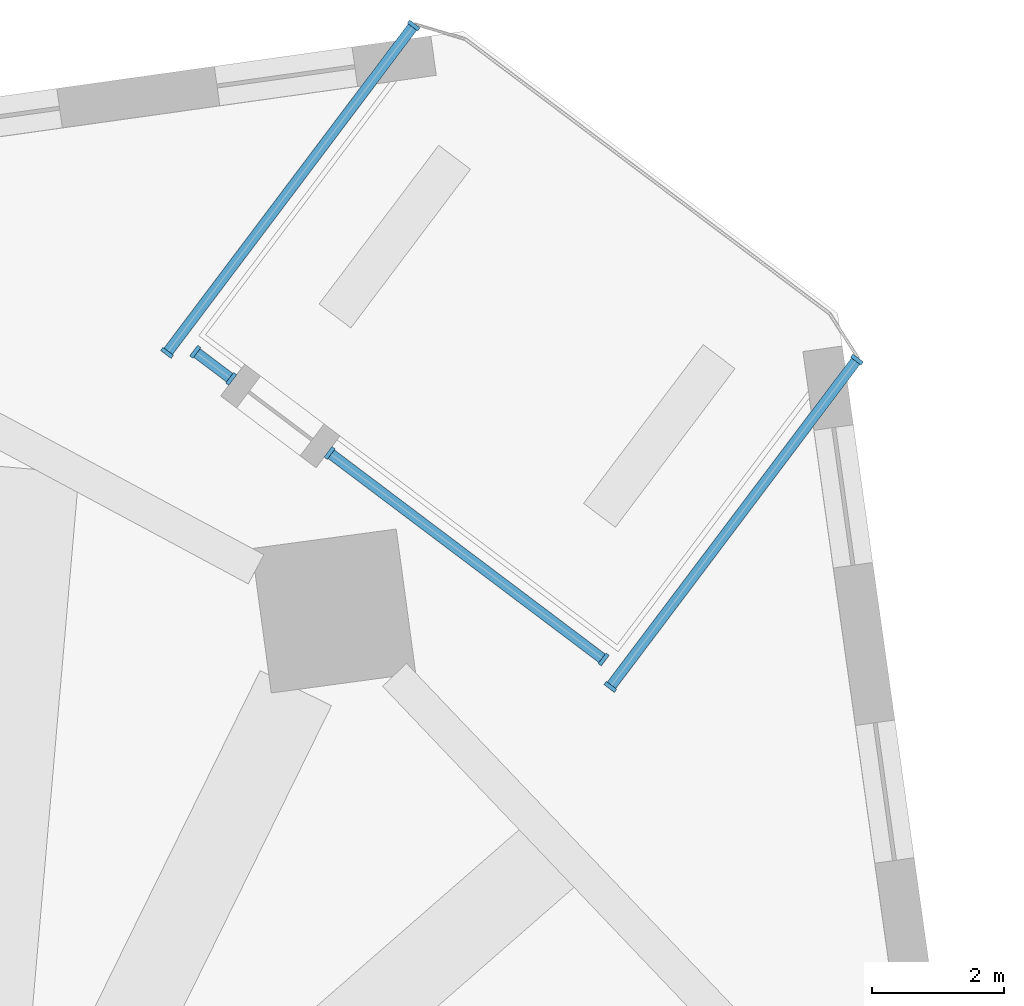
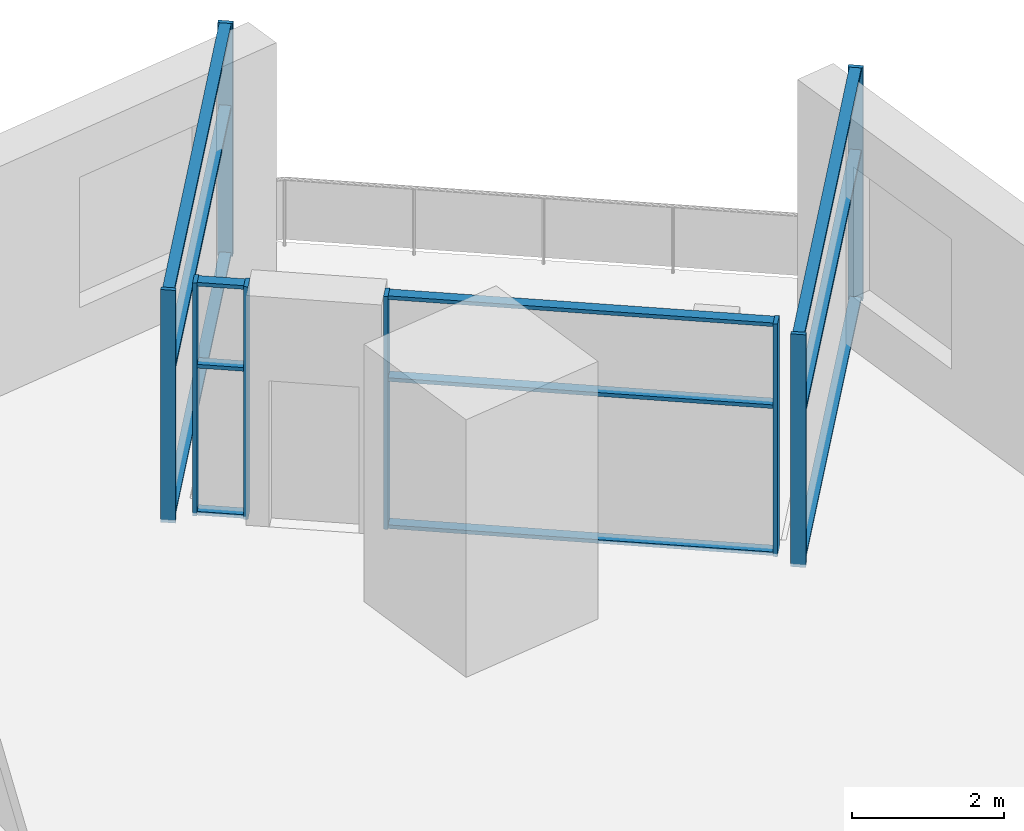
# One storey, part 2 of 12: 20 members, 4 elements without a shape of their own.
"""IFC4 building model written with IfcOpenShell, lengths in metres."""

from ifc_helpers import new_model, si_unit, direction, frame, origin, origin_2d, place, context, subcontext, project, spatial, rectangle, extrude, material, material_profile, profile_set, type_object, element, aggregate, save


model = new_model("IFC4")

# Units and contexts
model_context = context("Model", 3, precision=1e-05, world=origin(), true_north=direction((0.0, 1.0)))
body_context = subcontext(model_context, "Body", "Model", "MODEL_VIEW")
ifc_project = project(units=[si_unit("LENGTHUNIT", "METRE"), si_unit("AREAUNIT", "SQUARE_METRE"), si_unit("VOLUMEUNIT", "CUBIC_METRE"), si_unit("PLANEANGLEUNIT", "RADIAN"), si_unit("MASSUNIT", "GRAM", prefix="KILO")], contexts=[model_context])

# Site, building, storey
site_placement = place(None, origin())
site = spatial("IfcSite", under=ifc_project, at=site_placement, CompositionType="ELEMENT")
building_placement = place(site_placement, origin())
building = spatial("IfcBuilding", under=site, at=building_placement, Name="Dilmun Exchange Tower", CompositionType="ELEMENT")
storey_placement = place(building_placement, frame((0.0, 0.0, 51.300048828125)))
storey = spatial("IfcBuildingStorey", under=building, at=storey_placement, Name="L11", CompositionType="ELEMENT", Elevation=51.300048828125)

# Curtain wall, members
ifc_material_1 = material(Name="Anodised aluminium and clear glass", Category="aluminium")
curtain_wall_type = type_object("IfcCurtainWallType", Name="Garden corner glazing", PredefinedType="NOTDEFINED", material=ifc_material_1)
curtain_wall_1_placement = place(storey_placement, origin())
curtain_wall_1 = element("IfcCurtainWall", 1, at=curtain_wall_1_placement, inside=storey, type_object=curtain_wall_type, Name="Garden corner glazing run GC1.1", PredefinedType="NOTDEFINED")
ifc_material_2 = material(Name="Anodised aluminium", Category="aluminium")
ifc_material_profile_1 = material_profile(ifc_material_2, rectangle(XDim=0.199951171875, YDim=0.06005859375, at=origin_2d()), Name="AL 60x200")
ifc_profile_set_1 = profile_set([ifc_material_profile_1], Name="Anodised aluminium")
member_type_1 = type_object("IfcMemberType", Name="Garden corner glazing mullion 60 x 200", PredefinedType="MULLION", material=ifc_profile_set_1)
member_1_placement = place(storey_placement, frame((26.519775390625, 28.232177734375, 0.0), z_axis=(0.0, 0.0, 1.0), x_axis=(0.798633950704, -0.601817092465, 0.0)))
member_1 = element("IfcMember", 2, at=member_1_placement, type_object=member_type_1, Name="GC1.1 mullion 1", PredefinedType="MULLION", context=body_context, shape_type="SweptSolid", body=[
    extrude(rectangle(XDim=0.199951171875, YDim=0.06005859375, at=origin_2d()), origin(), (0.0, 0.0, 1.0), 3.75),
])
member_2_placement = place(storey_placement, frame((22.796875, 23.29150390625, 0.0), z_axis=(0.0, 0.0, 1.0), x_axis=(0.798633950704, -0.601817092465, 0.0)))
member_2 = element("IfcMember", 3, at=member_2_placement, type_object=member_type_1, Name="GC1.1 mullion 2", PredefinedType="MULLION", context=body_context, shape_type="SweptSolid", body=[
    extrude(rectangle(XDim=0.199951171875, YDim=0.06005859375, at=origin_2d()), origin(), (0.0, 0.0, 1.0), 3.75),
])

curtain_wall_2_placement = place(storey_placement, origin())
curtain_wall_2 = element("IfcCurtainWall", 4, at=curtain_wall_2_placement, inside=storey, type_object=curtain_wall_type, Name="Garden corner glazing run GC2.1", PredefinedType="NOTDEFINED")
member_3_placement = place(storey_placement, frame((22.695556640625, 23.705810546875, 0.0), z_axis=(0.0, 0.0, 1.0), x_axis=(-0.601821657953, -0.798630510323, 0.0)))
member_3 = element("IfcMember", 5, at=member_3_placement, type_object=member_type_1, Name="GC2.1 mullion 1", PredefinedType="MULLION", context=body_context, shape_type="SweptSolid", body=[
    extrude(rectangle(XDim=0.199951171875, YDim=0.06005859375, at=origin_2d()), origin(), (0.0, 0.0, 1.0), 3.75),
])
member_4_placement = place(storey_placement, frame((18.5595703125, 26.82275390625, 0.0), z_axis=(0.0, 0.0, 1.0), x_axis=(-0.601821657953, -0.798630510323, 0.0)))
member_4 = element("IfcMember", 6, at=member_4_placement, type_object=member_type_1, Name="GC2.1 mullion 2", PredefinedType="MULLION", context=body_context, shape_type="SweptSolid", body=[
    extrude(rectangle(XDim=0.199951171875, YDim=0.06005859375, at=origin_2d()), origin(), (0.0, 0.0, 1.0), 3.75),
])

curtain_wall_3_placement = place(storey_placement, origin())
curtain_wall_3 = element("IfcCurtainWall", 7, at=curtain_wall_3_placement, inside=storey, type_object=curtain_wall_type, Name="Garden corner glazing run GC2.3", PredefinedType="NOTDEFINED")
member_5_placement = place(storey_placement, frame((17.073974609375, 27.94189453125, 0.0), z_axis=(0.0, 0.0, 1.0), x_axis=(-0.60179521348, -0.798650437321, 0.0)))
member_5 = element("IfcMember", 8, at=member_5_placement, type_object=member_type_1, Name="GC2.3 mullion 1", PredefinedType="MULLION", context=body_context, shape_type="SweptSolid", body=[
    extrude(rectangle(XDim=0.199951171875, YDim=0.06005859375, at=origin_2d()), origin(), (0.0, 0.0, 1.0), 3.75),
])
member_6_placement = place(storey_placement, frame((16.53173828125, 28.3505859375, 0.0), z_axis=(0.0, 0.0, 1.0), x_axis=(-0.60179521348, -0.798650437321, 0.0)))
member_6 = element("IfcMember", 9, at=member_6_placement, type_object=member_type_1, Name="GC2.3 mullion 2", PredefinedType="MULLION", context=body_context, shape_type="SweptSolid", body=[
    extrude(rectangle(XDim=0.199951171875, YDim=0.06005859375, at=origin_2d()), origin(), (0.0, 0.0, 1.0), 3.75),
])

curtain_wall_4_placement = place(storey_placement, origin())
curtain_wall_4 = element("IfcCurtainWall", 10, at=curtain_wall_4_placement, inside=storey, type_object=curtain_wall_type, Name="Garden corner glazing run GC3.1", PredefinedType="NOTDEFINED")
member_7_placement = place(storey_placement, frame((16.105712890625, 28.333740234375, 0.0), z_axis=(0.0, 0.0, 1.0), x_axis=(-0.798633950704, 0.601817092465, 0.0)))
member_7 = element("IfcMember", 11, at=member_7_placement, type_object=member_type_1, Name="GC3.1 mullion 1", PredefinedType="MULLION", context=body_context, shape_type="SweptSolid", body=[
    extrude(rectangle(XDim=0.199951171875, YDim=0.06005859375, at=origin_2d()), origin(), (0.0, 0.0, 1.0), 3.75),
])
member_8_placement = place(storey_placement, frame((19.828857421875, 33.2744140625, 0.0), z_axis=(0.0, 0.0, 1.0), x_axis=(-0.798633950704, 0.601817092465, 0.0)))
member_8 = element("IfcMember", 12, at=member_8_placement, type_object=member_type_1, Name="GC3.1 mullion 2", PredefinedType="MULLION", context=body_context, shape_type="SweptSolid", body=[
    extrude(rectangle(XDim=0.199951171875, YDim=0.06005859375, at=origin_2d()), origin(), (0.0, 0.0, 1.0), 3.75),
])

# Member
ifc_material_profile_2 = material_profile(ifc_material_2, rectangle(XDim=0.159912109375, YDim=0.06005859375, at=origin_2d()), Name="AL 60x160")
ifc_profile_set_2 = profile_set([ifc_material_profile_2], Name="Anodised aluminium")
member_type_2 = type_object("IfcMemberType", Name="Garden corner glazing transom 60 x 160", PredefinedType="USERDEFINED", material=ifc_profile_set_2)
member_9_placement = place(storey_placement, frame((26.501708984375, 28.208251953125, 0.030029296875), z_axis=(-0.60181561491, -0.798635064125, 0.0), x_axis=(0.798635064125, -0.60181561491, 0.0)))
member_9 = element("IfcMember", 13, at=member_9_placement, type_object=member_type_2, Name="GC1.1 transom 1.1", ObjectType="TRANSOM", PredefinedType="USERDEFINED", context=body_context, shape_type="SweptSolid", body=[
    extrude(rectangle(XDim=0.159912109375, YDim=0.06005859375, at=origin_2d()), origin(), (0.0, 0.0, 1.0), 6.12646484375),
])

member_10_placement = place(storey_placement, frame((26.501708984375, 28.208251953125, 2.39990234375), z_axis=(-0.60181561491, -0.798635064125, 0.0), x_axis=(0.798635064125, -0.60181561491, 0.0)))
member_10 = element("IfcMember", 14, at=member_10_placement, type_object=member_type_2, Name="GC1.1 transom 1.2", ObjectType="TRANSOM", PredefinedType="USERDEFINED", context=body_context, shape_type="SweptSolid", body=[
    extrude(rectangle(XDim=0.159912109375, YDim=0.06005859375, at=origin_2d()), origin(), (0.0, 0.0, 1.0), 6.12646484375),
])

member_11_placement = place(storey_placement, frame((26.501708984375, 28.208251953125, 3.719970703125), z_axis=(-0.60181561491, -0.798635064125, 0.0), x_axis=(0.798635064125, -0.60181561491, 0.0)))
member_11 = element("IfcMember", 15, at=member_11_placement, type_object=member_type_2, Name="GC1.1 transom 1.3", ObjectType="TRANSOM", PredefinedType="USERDEFINED", context=body_context, shape_type="SweptSolid", body=[
    extrude(rectangle(XDim=0.159912109375, YDim=0.06005859375, at=origin_2d()), origin(), (0.0, 0.0, 1.0), 6.12646484375),
])

aggregate(curtain_wall_1, [member_1, member_2, member_9, member_10, member_11])

member_12_placement = place(storey_placement, frame((22.671630859375, 23.723876953125, 0.030029296875), z_axis=(-0.798618605816, 0.601837455169, 0.0), x_axis=(-0.601837455169, -0.798618605816, 0.0)))
member_12 = element("IfcMember", 16, at=member_12_placement, type_object=member_type_2, Name="GC2.1 transom 1.1", ObjectType="TRANSOM", PredefinedType="USERDEFINED", context=body_context, shape_type="SweptSolid", body=[
    extrude(rectangle(XDim=0.159912109375, YDim=0.06005859375, at=origin_2d()), origin(), (0.0, 0.0, 1.0), 5.118896484375),
])

member_13_placement = place(storey_placement, frame((22.671630859375, 23.723876953125, 2.39990234375), z_axis=(-0.798618605816, 0.601837455169, 0.0), x_axis=(-0.601837455169, -0.798618605816, 0.0)))
member_13 = element("IfcMember", 17, at=member_13_placement, type_object=member_type_2, Name="GC2.1 transom 1.2", ObjectType="TRANSOM", PredefinedType="USERDEFINED", context=body_context, shape_type="SweptSolid", body=[
    extrude(rectangle(XDim=0.159912109375, YDim=0.06005859375, at=origin_2d()), origin(), (0.0, 0.0, 1.0), 5.118896484375),
])

member_14_placement = place(storey_placement, frame((22.671630859375, 23.723876953125, 3.719970703125), z_axis=(-0.798618605816, 0.601837455169, 0.0), x_axis=(-0.601837455169, -0.798618605816, 0.0)))
member_14 = element("IfcMember", 18, at=member_14_placement, type_object=member_type_2, Name="GC2.1 transom 1.3", ObjectType="TRANSOM", PredefinedType="USERDEFINED", context=body_context, shape_type="SweptSolid", body=[
    extrude(rectangle(XDim=0.159912109375, YDim=0.06005859375, at=origin_2d()), origin(), (0.0, 0.0, 1.0), 5.118896484375),
])

aggregate(curtain_wall_2, [member_3, member_4, member_12, member_13, member_14])

member_15_placement = place(storey_placement, frame((17.050048828125, 27.9599609375, 0.030029296875), z_axis=(-0.798625454446, 0.601828367153, 0.0), x_axis=(-0.601828367153, -0.798625454446, 0.0)))
member_15 = element("IfcMember", 19, at=member_15_placement, type_object=member_type_2, Name="GC2.3 transom 1.1", ObjectType="TRANSOM", PredefinedType="USERDEFINED", context=body_context, shape_type="SweptSolid", body=[
    extrude(rectangle(XDim=0.159912109375, YDim=0.06005859375, at=origin_2d()), origin(), (0.0, 0.0, 1.0), 0.619140625),
])

member_16_placement = place(storey_placement, frame((17.050048828125, 27.9599609375, 2.39990234375), z_axis=(-0.798625454446, 0.601828367153, 0.0), x_axis=(-0.601828367153, -0.798625454446, 0.0)))
member_16 = element("IfcMember", 20, at=member_16_placement, type_object=member_type_2, Name="GC2.3 transom 1.2", ObjectType="TRANSOM", PredefinedType="USERDEFINED", context=body_context, shape_type="SweptSolid", body=[
    extrude(rectangle(XDim=0.159912109375, YDim=0.06005859375, at=origin_2d()), origin(), (0.0, 0.0, 1.0), 0.619140625),
])

member_17_placement = place(storey_placement, frame((17.050048828125, 27.9599609375, 3.719970703125), z_axis=(-0.798625454446, 0.601828367153, 0.0), x_axis=(-0.601828367153, -0.798625454446, 0.0)))
member_17 = element("IfcMember", 21, at=member_17_placement, type_object=member_type_2, Name="GC2.3 transom 1.3", ObjectType="TRANSOM", PredefinedType="USERDEFINED", context=body_context, shape_type="SweptSolid", body=[
    extrude(rectangle(XDim=0.159912109375, YDim=0.06005859375, at=origin_2d()), origin(), (0.0, 0.0, 1.0), 0.619140625),
])

aggregate(curtain_wall_3, [member_5, member_6, member_15, member_16, member_17])

member_18_placement = place(storey_placement, frame((16.123779296875, 28.357666015625, 0.030029296875), z_axis=(0.60181561491, 0.798635064125, 0.0), x_axis=(-0.798635064125, 0.60181561491, 0.0)))
member_18 = element("IfcMember", 22, at=member_18_placement, type_object=member_type_2, Name="GC3.1 transom 1.1", ObjectType="TRANSOM", PredefinedType="USERDEFINED", context=body_context, shape_type="SweptSolid", body=[
    extrude(rectangle(XDim=0.159912109375, YDim=0.06005859375, at=origin_2d()), origin(), (0.0, 0.0, 1.0), 6.12646484375),
])

member_19_placement = place(storey_placement, frame((16.123779296875, 28.357666015625, 2.39990234375), z_axis=(0.60181561491, 0.798635064125, 0.0), x_axis=(-0.798635064125, 0.60181561491, 0.0)))
member_19 = element("IfcMember", 23, at=member_19_placement, type_object=member_type_2, Name="GC3.1 transom 1.2", ObjectType="TRANSOM", PredefinedType="USERDEFINED", context=body_context, shape_type="SweptSolid", body=[
    extrude(rectangle(XDim=0.159912109375, YDim=0.06005859375, at=origin_2d()), origin(), (0.0, 0.0, 1.0), 6.12646484375),
])

member_20_placement = place(storey_placement, frame((16.123779296875, 28.357666015625, 3.719970703125), z_axis=(0.60181561491, 0.798635064125, 0.0), x_axis=(-0.798635064125, 0.60181561491, 0.0)))
member_20 = element("IfcMember", 24, at=member_20_placement, type_object=member_type_2, Name="GC3.1 transom 1.3", ObjectType="TRANSOM", PredefinedType="USERDEFINED", context=body_context, shape_type="SweptSolid", body=[
    extrude(rectangle(XDim=0.159912109375, YDim=0.06005859375, at=origin_2d()), origin(), (0.0, 0.0, 1.0), 6.12646484375),
])

aggregate(curtain_wall_4, [member_7, member_8, member_18, member_19, member_20])

save(model, "model.ifc")
